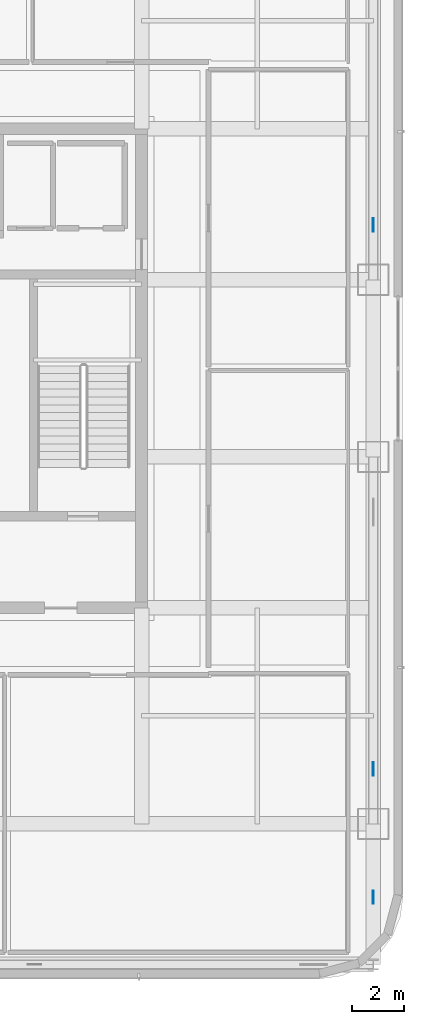
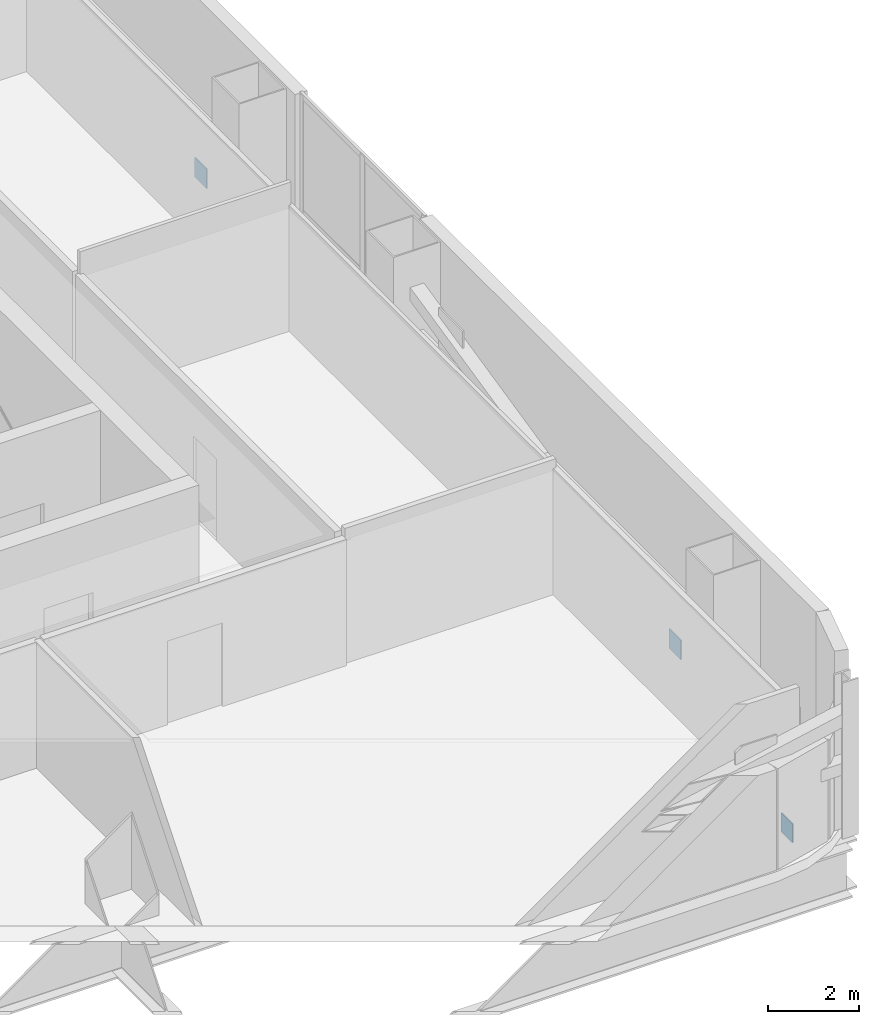
# One storey, part 10 of 28: 3 plates.
"""IFC4 building model written with IfcOpenShell, lengths in metres."""

from ifc_helpers import new_model, si_unit, direction, frame, origin, origin_2d, place, context, subcontext, project, spatial, rectangle, extrude, material, layer, layer_set, type_object, element, save


model = new_model("IFC4")

# Units and contexts
model_context = context("Model", 3, precision=1e-05, world=origin(), true_north=direction((0.0, 1.0)))
body_context = subcontext(model_context, "Body", "Model", "MODEL_VIEW")
ifc_project = project(units=[si_unit("LENGTHUNIT", "METRE"), si_unit("AREAUNIT", "SQUARE_METRE"), si_unit("VOLUMEUNIT", "CUBIC_METRE"), si_unit("PLANEANGLEUNIT", "RADIAN"), si_unit("MASSUNIT", "GRAM", prefix="KILO")], contexts=[model_context])

# Site, building, storey
site_placement = place(None, origin())
site = spatial("IfcSite", under=ifc_project, at=site_placement, CompositionType="ELEMENT")
building_placement = place(site_placement, origin())
building = spatial("IfcBuilding", under=site, at=building_placement, Name="Punatoya Terracotta Tower", CompositionType="ELEMENT")
storey_placement = place(building_placement, frame((0.0, 0.0, 317.39990234375)))
storey = spatial("IfcBuildingStorey", under=building, at=storey_placement, Name="L75", CompositionType="ELEMENT", Elevation=317.39990234375)

# Plates
ifc_material = material(Name="Steel S460", Category="steel")
ifc_layer = layer(ifc_material, 0.031982421875)
ifc_layer_set = layer_set([ifc_layer], Name="Steel S460")
plate_type = type_object("IfcPlateType", Name="PLT-END-32", PredefinedType="USERDEFINED", material=ifc_layer_set)
for number, where, z_axis, x_axis, name in (
    (1, (19.10009765625, -15.385009765625, 0.237060546875), (0.0, 0.0, 1.0), (0.0, 1.0, 0.0), "L75 Exoskeleton Base Node Plate E1"),
    (2, (19.10009765625, 5.514892578125, 0.237060546875), (0.0, 0.0, 1.0), (0.0, 1.0, 0.0), "L75 Exoskeleton Base Node Plate E3"),
):
    element("IfcPlate", number, at=place(storey_placement, frame(where, z_axis=z_axis, x_axis=x_axis)), inside=storey, type_object=plate_type, Name=name, ObjectType="FLANGE_PLATE", PredefinedType="USERDEFINED", context=body_context, shape_type="SweptSolid", body=[
        extrude(rectangle(XDim=0.52001953125, YDim=0.031982421875, at=origin_2d()), origin(), (0.0, 0.0, 1.0), 0.52001953125),
    ])
plate_placement = place(storey_placement, frame((19.10009765625, -20.31591796875, -1.701904296875), z_axis=(0.0, 0.0, 1.0), x_axis=(0.0, 1.0, 0.0)))
element("IfcPlate", 3, at=plate_placement, inside=storey, type_object=plate_type, Name="L75 Knee-Strut Upper End Cap Plate S2", ObjectType="FLANGE_PLATE", PredefinedType="USERDEFINED", context=body_context, shape_type="SweptSolid", body=[
    extrude(rectangle(XDim=0.5, YDim=0.031982421875, at=origin_2d()), origin(), (0.0, 0.0, 1.0), 0.5),
])

save(model, "model.ifc")
